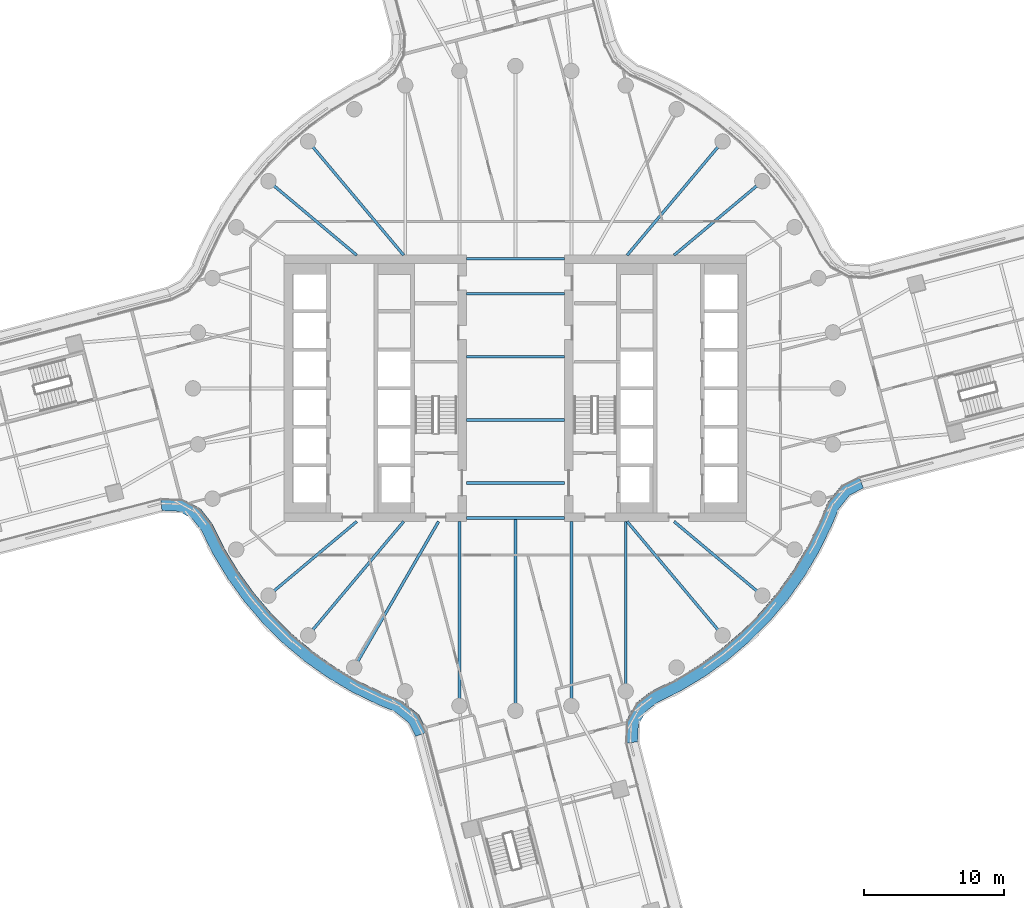
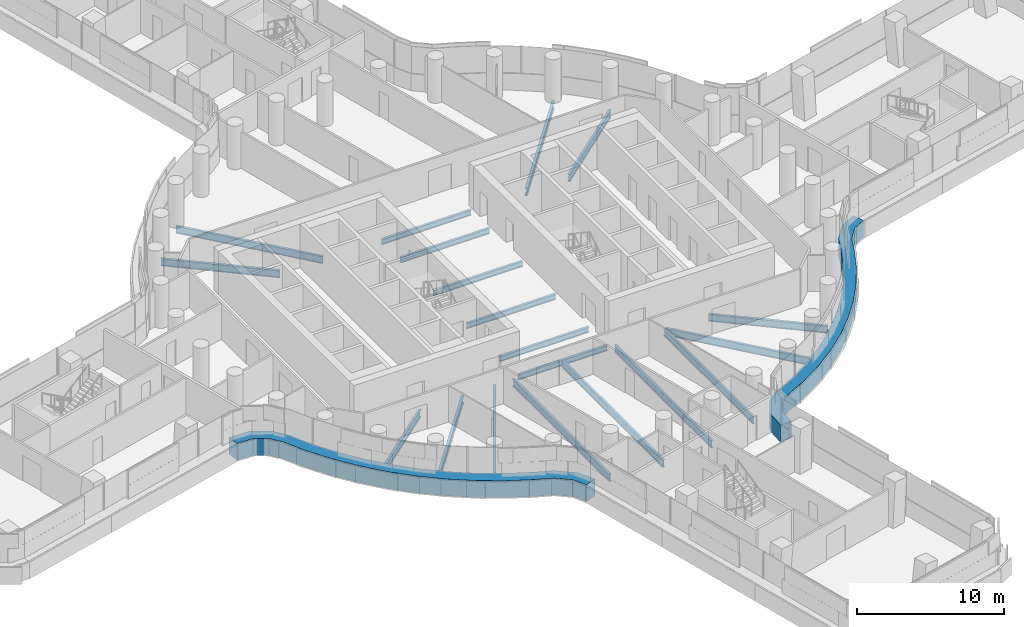
# One storey, part 8 of 30: 19 beams, 2 members, 2 elements without a shape of their own.
"""IFC4 building model written with IfcOpenShell, lengths in metres."""

from ifc_helpers import new_model, si_unit, direction, frame, origin, origin_2d, place, context, subcontext, project, spatial, polyline, i_section, outline, extrude, material, layer, layer_set, material_profile, profile_set, type_object, element, aggregate, save


model = new_model("IFC4")

# Units and contexts
model_context = context("Model", 3, precision=1e-05, world=origin(), true_north=direction((0.0, 1.0)))
body_context = subcontext(model_context, "Body", "Model", "MODEL_VIEW")
ifc_project = project(units=[si_unit("LENGTHUNIT", "METRE"), si_unit("AREAUNIT", "SQUARE_METRE"), si_unit("VOLUMEUNIT", "CUBIC_METRE"), si_unit("PLANEANGLEUNIT", "RADIAN"), si_unit("MASSUNIT", "GRAM", prefix="KILO")], contexts=[model_context])

# Site, building, storey
site_placement = place(None, origin())
site = spatial("IfcSite", under=ifc_project, at=site_placement, CompositionType="ELEMENT")
building_placement = place(site_placement, origin())
building = spatial("IfcBuilding", under=site, at=building_placement, Name="Tamarind Cross Interchange Tower", CompositionType="ELEMENT")
storey_placement = place(building_placement, frame((0.0, 0.0, 87.25)))
storey = spatial("IfcBuildingStorey", under=building, at=storey_placement, Name="L20", CompositionType="ELEMENT", Elevation=87.25)

# Beams
ifc_material_1 = material(Name="Steel Q355B", Category="steel")
ifc_material_profile_1 = material_profile(ifc_material_1, i_section(OverallWidth=0.198974609375, OverallDepth=0.446044921875, WebThickness=0.008056640625, FlangeThickness=0.011962890625, FilletRadius=0.012939453125, at=origin_2d()), Name="HN 446x199x8x12")
ifc_profile_set_1 = profile_set([ifc_material_profile_1], Name="Steel Q355B")
beam_type_1 = type_object("IfcBeamType", Name="Composite beam HN 446x199x8x12 Q355B", PredefinedType="BEAM", material=ifc_profile_set_1)
for number, where, z_axis, x_axis, name in (
    (1, (-3.5, -2.25, -0.363037109375), (1.0, 0.0, 0.0), (0.0, 1.0, 0.0), "Beam G-2.25"),
    (2, (-3.5, -6.75, -0.363037109375), (1.0, 0.0, 0.0), (0.0, 1.0, 0.0), "Beam G-6.75"),
    (3, (-3.5, -9.25, -0.363037109375), (1.0, 0.0, 0.0), (0.0, 1.0, 0.0), "Beam G-9.25"),
    (4, (-3.5, 2.25, -0.363037109375), (1.0, 0.0, 0.0), (0.0, 1.0, 0.0), "Beam G2.25"),
    (5, (-3.5, 6.75, -0.363037109375), (1.0, 0.0, 0.0), (0.0, 1.0, 0.0), "Beam G6.75"),
    (6, (-3.5, 9.25, -0.363037109375), (1.0, 0.0, 0.0), (0.0, 1.0, 0.0), "Beam G9.25"),
):
    element("IfcBeam", number, at=place(storey_placement, frame(where, z_axis=z_axis, x_axis=x_axis)), inside=storey, type_object=beam_type_1, Name=name, PredefinedType="BEAM", context=body_context, shape_type="SweptSolid", body=[
        extrude(i_section(OverallWidth=0.198974609375, OverallDepth=0.446044921875, WebThickness=0.008056640625, FlangeThickness=0.011962890625, FilletRadius=0.012939453125, at=origin_2d()), origin(), (0.0, 0.0, 1.0), 7.0),
    ])
ifc_material_profile_2 = material_profile(ifc_material_1, i_section(OverallWidth=0.198974609375, OverallDepth=0.595947265625, WebThickness=0.010009765625, FlangeThickness=0.014892578125, FilletRadius=0.012939453125, at=origin_2d()), Name="HN 596x199x10x15")
ifc_profile_set_2 = profile_set([ifc_material_profile_2], Name="Steel Q355B")
beam_type_2 = type_object("IfcBeamType", Name="Composite beam HN 596x199x10x15 Q355B", PredefinedType="BEAM", material=ifc_profile_set_2)
beam_1_placement = place(storey_placement, frame((17.619140625, 14.7841796875, -0.43798828125), z_axis=(-0.766040580814, -0.642792212574, 0.0), x_axis=(0.642792212574, -0.766040580814, 0.0)))
element("IfcBeam", 7, at=beam_1_placement, inside=storey, type_object=beam_type_2, Name="Beam HH04", PredefinedType="BEAM", context=body_context, shape_type="SweptSolid", body=[
    extrude(i_section(OverallWidth=0.198974609375, OverallDepth=0.595947265625, WebThickness=0.010009765625, FlangeThickness=0.014892578125, FilletRadius=0.012939453125, at=origin_2d()), origin(), (0.0, 0.0, 1.0), 8.220703125),
])
for number, where, z_axis, x_axis, name in (
    (8, (14.7841796875, 17.619140625, -0.43798828125), (-0.642786293979, -0.766045547127, 0.0), (0.766045547127, -0.642786293979, 0.0), "Beam HH05"),
    (9, (-14.7841796875, 17.619140625, -0.43798828125), (0.642786293979, -0.766045547127, 0.0), (0.766045547127, 0.642786293979, 0.0), "Beam HH13"),
):
    element("IfcBeam", number, at=place(storey_placement, frame(where, z_axis=z_axis, x_axis=x_axis)), inside=storey, type_object=beam_type_2, Name=name, PredefinedType="BEAM", context=body_context, shape_type="SweptSolid", body=[
        extrude(i_section(OverallWidth=0.198974609375, OverallDepth=0.595947265625, WebThickness=0.010009765625, FlangeThickness=0.014892578125, FilletRadius=0.012939453125, at=origin_2d()), origin(), (0.0, 0.0, 1.0), 10.598876953125),
    ])
for number, where, z_axis, x_axis, name in (
    (10, (-17.619140625, 14.7841796875, -0.43798828125), (0.766040580814, -0.642792212574, 0.0), (0.642792212574, 0.766040580814, 0.0), "Beam HH14"),
    (11, (-17.619140625, -14.7841796875, -0.43798828125), (0.766040580814, 0.642792212574, 0.0), (-0.642792212574, 0.766040580814, 0.0), "Beam HH22"),
):
    element("IfcBeam", number, at=place(storey_placement, frame(where, z_axis=z_axis, x_axis=x_axis)), inside=storey, type_object=beam_type_2, Name=name, PredefinedType="BEAM", context=body_context, shape_type="SweptSolid", body=[
        extrude(i_section(OverallWidth=0.198974609375, OverallDepth=0.595947265625, WebThickness=0.010009765625, FlangeThickness=0.014892578125, FilletRadius=0.012939453125, at=origin_2d()), origin(), (0.0, 0.0, 1.0), 8.220703125),
    ])
beam_2_placement = place(storey_placement, frame((-14.7841796875, -17.619140625, -0.43798828125), z_axis=(0.642786293979, 0.766045547127, 0.0), x_axis=(-0.766045547127, 0.642786293979, 0.0)))
element("IfcBeam", 12, at=beam_2_placement, inside=storey, type_object=beam_type_2, Name="Beam HH23", PredefinedType="BEAM", context=body_context, shape_type="SweptSolid", body=[
    extrude(i_section(OverallWidth=0.198974609375, OverallDepth=0.595947265625, WebThickness=0.010009765625, FlangeThickness=0.014892578125, FilletRadius=0.012939453125, at=origin_2d()), origin(), (0.0, 0.0, 1.0), 10.598876953125),
])
beam_3_placement = place(storey_placement, frame((-11.5, -19.918701171875, -0.43798828125), z_axis=(0.499993565836, 0.866029118519, 0.0), x_axis=(-0.866029118519, 0.499993565836, 0.0)))
element("IfcBeam", 13, at=beam_3_placement, inside=storey, type_object=beam_type_2, Name="Beam HH24", PredefinedType="BEAM", context=body_context, shape_type="SweptSolid", body=[
    extrude(i_section(OverallWidth=0.198974609375, OverallDepth=0.595947265625, WebThickness=0.010009765625, FlangeThickness=0.014892578125, FilletRadius=0.012939453125, at=origin_2d()), origin(), (0.0, 0.0, 1.0), 12.030517578125),
])
beam_4_placement = place(storey_placement, frame((-3.993896484375, -22.650634765625, -0.43798828125), z_axis=(0.0, 1.0, 0.0), x_axis=(-1.0, 0.0, 0.0)))
element("IfcBeam", 14, at=beam_4_placement, inside=storey, type_object=beam_type_2, Name="Beam HH26", PredefinedType="BEAM", context=body_context, shape_type="SweptSolid", body=[
    extrude(i_section(OverallWidth=0.198974609375, OverallDepth=0.595947265625, WebThickness=0.010009765625, FlangeThickness=0.014892578125, FilletRadius=0.012939453125, at=origin_2d()), origin(), (0.0, 0.0, 1.0), 13.150634765625),
])
beam_5_placement = place(storey_placement, frame((0.0, -23.0, -0.43798828125), z_axis=(0.0, 1.0, 0.0), x_axis=(-1.0, 0.0, 0.0)))
element("IfcBeam", 15, at=beam_5_placement, inside=storey, type_object=beam_type_2, Name="Beam HH27", PredefinedType="BEAM", context=body_context, shape_type="SweptSolid", body=[
    extrude(i_section(OverallWidth=0.198974609375, OverallDepth=0.595947265625, WebThickness=0.010009765625, FlangeThickness=0.014892578125, FilletRadius=0.012939453125, at=origin_2d()), origin(), (0.0, 0.0, 1.0), 13.75),
])
beam_6_placement = place(storey_placement, frame((3.993896484375, -22.650634765625, -0.43798828125), z_axis=(0.0, 1.0, 0.0), x_axis=(-1.0, 0.0, 0.0)))
element("IfcBeam", 16, at=beam_6_placement, inside=storey, type_object=beam_type_2, Name="Beam HH28", PredefinedType="BEAM", context=body_context, shape_type="SweptSolid", body=[
    extrude(i_section(OverallWidth=0.198974609375, OverallDepth=0.595947265625, WebThickness=0.010009765625, FlangeThickness=0.014892578125, FilletRadius=0.012939453125, at=origin_2d()), origin(), (0.0, 0.0, 1.0), 13.150634765625),
])
beam_7_placement = place(storey_placement, frame((7.866455078125, -21.613037109375, -0.43798828125), z_axis=(0.0, 1.0, 0.0), x_axis=(-1.0, 0.0, 0.0)))
element("IfcBeam", 17, at=beam_7_placement, inside=storey, type_object=beam_type_2, Name="Beam HH29", PredefinedType="BEAM", context=body_context, shape_type="SweptSolid", body=[
    extrude(i_section(OverallWidth=0.198974609375, OverallDepth=0.595947265625, WebThickness=0.010009765625, FlangeThickness=0.014892578125, FilletRadius=0.012939453125, at=origin_2d()), origin(), (0.0, 0.0, 1.0), 12.113037109375),
])
beam_8_placement = place(storey_placement, frame((14.7841796875, -17.619140625, -0.43798828125), z_axis=(-0.642786293979, 0.766045547127, 0.0), x_axis=(-0.766045547127, -0.642786293979, 0.0)))
element("IfcBeam", 18, at=beam_8_placement, inside=storey, type_object=beam_type_2, Name="Beam HH31", PredefinedType="BEAM", context=body_context, shape_type="SweptSolid", body=[
    extrude(i_section(OverallWidth=0.198974609375, OverallDepth=0.595947265625, WebThickness=0.010009765625, FlangeThickness=0.014892578125, FilletRadius=0.012939453125, at=origin_2d()), origin(), (0.0, 0.0, 1.0), 10.598876953125),
])
beam_9_placement = place(storey_placement, frame((17.619140625, -14.7841796875, -0.43798828125), z_axis=(-0.766040580814, 0.642792212574, 0.0), x_axis=(-0.642792212574, -0.766040580814, 0.0)))
element("IfcBeam", 19, at=beam_9_placement, inside=storey, type_object=beam_type_2, Name="Beam HH32", PredefinedType="BEAM", context=body_context, shape_type="SweptSolid", body=[
    extrude(i_section(OverallWidth=0.198974609375, OverallDepth=0.595947265625, WebThickness=0.010009765625, FlangeThickness=0.014892578125, FilletRadius=0.012939453125, at=origin_2d()), origin(), (0.0, 0.0, 1.0), 8.220703125),
])

# Curtain wall, member
ifc_material_2 = material(Name="Aluminium 6063-T6", Category="aluminium")
ifc_layer = layer(ifc_material_2, 0.159912109375)
ifc_layer_set = layer_set([ifc_layer], Name="Aluminium 6063-T6")
curtain_wall_type = type_object("IfcCurtainWallType", Name="Office curtain wall, 9.0 m bays", PredefinedType="NOTDEFINED", material=ifc_layer_set)
curtain_wall_1_placement = place(storey_placement, origin())
curtain_wall_1 = element("IfcCurtainWall", 20, at=curtain_wall_1_placement, inside=storey, type_object=curtain_wall_type, Name="CWS-L20-06", PredefinedType="NOTDEFINED")
ifc_material_3 = material(Name="Aluminium and insulated spandrel panel", Category="aluminium")
member_type = type_object("IfcMemberType", Name="Floor-edge blade transom", PredefinedType="USERDEFINED", material=ifc_material_3)
member_1_placement = place(storey_placement, origin())
member_1 = element("IfcMember", 21, at=member_1_placement, type_object=member_type, Name="CWT-L20-06", ObjectType="TRANSOM", PredefinedType="USERDEFINED", context=body_context, shape_type="SweptSolid", body=[
    extrude(outline(polyline([(-25.316650390625, -7.81689453125), (-23.747802734375, -7.88427734375), (-22.460693359375, -8.59765625), (-21.640625, -9.649169921875), (-20.791015625, -11.367431640625), (-19.78125, -13.045654296875), (-18.636474609375, -14.634521484375), (-17.3642578125, -16.12353515625), (-15.973388671875, -17.50244140625), (-14.4736328125, -18.76171875), (-12.874755859375, -19.892822265625), (-11.188232421875, -20.88818359375), (-9.421630859375, -21.7421875), (-8.141845703125, -22.27197265625), (-6.892333984375, -23.281982421875), (-6.26953125, -24.509521484375), (-7.11572265625, -24.83056640625), (-7.60791015625, -23.86083984375), (-8.6064453125, -23.0537109375), (-9.7900390625, -22.56396484375), (-11.613525390625, -21.68212890625), (-13.3642578125, -20.64892578125), (-15.023681640625, -19.474853515625), (-16.580810546875, -18.167724609375), (-18.0244140625, -16.736572265625), (-19.344970703125, -15.19091796875), (-20.533203125, -13.54150390625), (-21.581298828125, -11.799560546875), (-22.40673828125, -10.13037109375), (-23.057373046875, -9.2958984375), (-23.99853515625, -8.7744140625), (-25.220703125, -8.721923828125), (-25.316650390625, -7.81689453125)])), origin(), (0.0, 0.0, 1.0), 1.39990234375),
])
aggregate(curtain_wall_1, [member_1])

curtain_wall_2_placement = place(storey_placement, origin())
curtain_wall_2 = element("IfcCurtainWall", 22, at=curtain_wall_2_placement, inside=storey, type_object=curtain_wall_type, Name="CWS-L20-10", PredefinedType="NOTDEFINED")
member_2_placement = place(storey_placement, origin())
member_2 = element("IfcMember", 23, at=member_2_placement, type_object=member_type, Name="CWT-L20-10", ObjectType="TRANSOM", PredefinedType="USERDEFINED", context=body_context, shape_type="SweptSolid", body=[
    extrude(outline(polyline([(7.81689453125, -25.316650390625), (7.88427734375, -23.747802734375), (8.59765625, -22.460693359375), (9.649169921875, -21.640625), (11.367431640625, -20.791015625), (13.045654296875, -19.78125), (14.634521484375, -18.636474609375), (16.12353515625, -17.3642578125), (17.50244140625, -15.973388671875), (18.76171875, -14.4736328125), (19.892822265625, -12.874755859375), (20.88818359375, -11.188232421875), (21.7421875, -9.421630859375), (22.27197265625, -8.141845703125), (23.281982421875, -6.892333984375), (24.509521484375, -6.26953125), (24.83056640625, -7.11572265625), (23.86083984375, -7.60791015625), (23.0537109375, -8.6064453125), (22.56396484375, -9.7900390625), (21.68212890625, -11.613525390625), (20.64892578125, -13.3642578125), (19.474853515625, -15.023681640625), (18.167724609375, -16.580810546875), (16.736572265625, -18.0244140625), (15.19091796875, -19.344970703125), (13.54150390625, -20.533203125), (11.799560546875, -21.581298828125), (10.13037109375, -22.40673828125), (9.2958984375, -23.057373046875), (8.7744140625, -23.99853515625), (8.721923828125, -25.220703125), (7.81689453125, -25.316650390625)])), origin(), (0.0, 0.0, 1.0), 1.39990234375),
])
aggregate(curtain_wall_2, [member_2])

save(model, "model.ifc")
